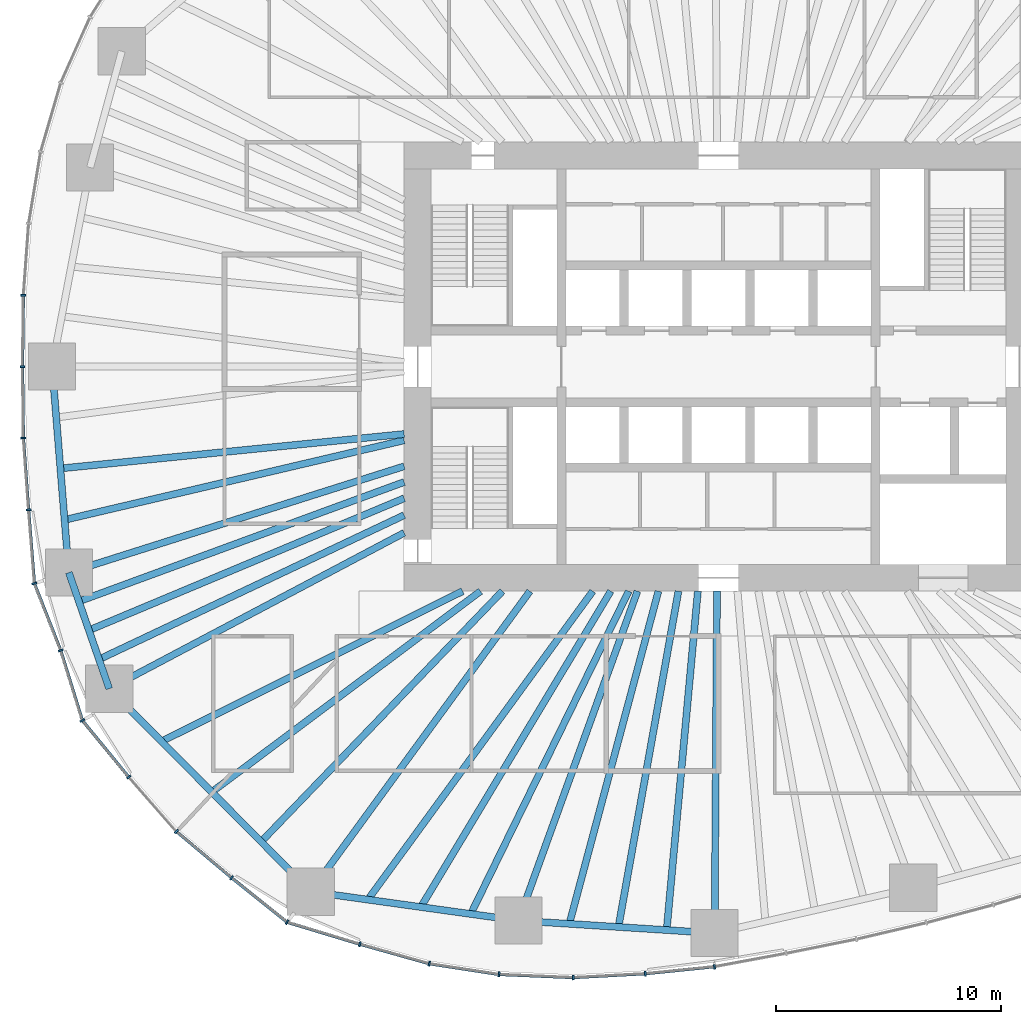
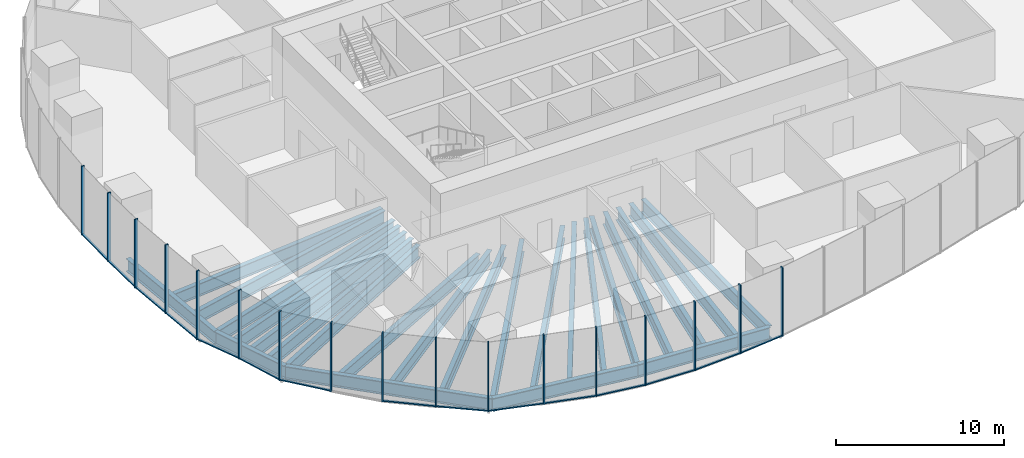
# One storey, part 2 of 20: 32 members, 24 beams, 7 elements without a shape of their own.
"""IFC4 building model written with IfcOpenShell, lengths in metres."""

from ifc_helpers import new_model, si_unit, direction, frame, origin, origin_2d, place, context, subcontext, project, spatial, rectangle, i_section, extrude, material, material_profile, profile_set, type_object, element, aggregate, save


model = new_model("IFC4")

# Units and contexts
model_context = context("Model", 3, precision=1e-05, world=origin(), true_north=direction((0.0, 1.0)))
body_context = subcontext(model_context, "Body", "Model", "MODEL_VIEW")
ifc_project = project(units=[si_unit("LENGTHUNIT", "METRE"), si_unit("AREAUNIT", "SQUARE_METRE"), si_unit("VOLUMEUNIT", "CUBIC_METRE"), si_unit("PLANEANGLEUNIT", "RADIAN"), si_unit("MASSUNIT", "GRAM", prefix="KILO")], contexts=[model_context])

# Site, building, storey
site_placement = place(None, origin())
site = spatial("IfcSite", under=ifc_project, at=site_placement, CompositionType="ELEMENT")
building_placement = place(site_placement, origin())
building = spatial("IfcBuilding", under=site, at=building_placement, Name="Ghaith Harvest Tower", CompositionType="ELEMENT")
storey_placement = place(building_placement, frame((0.0, 0.0, 35.0)))
storey = spatial("IfcBuildingStorey", under=building, at=storey_placement, Name="L07", CompositionType="ELEMENT", Elevation=35.0)

# Curtain wall, member
ifc_material_1 = material(Name="Black anodised aluminium and fritted glass", Category="aluminium")
curtain_wall_type = type_object("IfcCurtainWallType", Name="CW-F CURTAIN WALL", PredefinedType="NOTDEFINED", material=ifc_material_1)
curtain_wall_1_placement = place(storey_placement, origin())
curtain_wall_1 = element("IfcCurtainWall", 1, at=curtain_wall_1_placement, inside=storey, type_object=curtain_wall_type, Name="Curtain wall CW-F bay 10 L07", PredefinedType="NOTDEFINED")
ifc_material_2 = material(Name="Aluminium, black anodised", Category="aluminium")
ifc_material_profile_1 = material_profile(ifc_material_2, rectangle(XDim=0.080078125, YDim=0.219970703125, at=origin_2d()), Name="CW-F MULLION 80x220")
ifc_profile_set_1 = profile_set([ifc_material_profile_1], Name="Aluminium, black anodised")
member_type_1 = type_object("IfcMemberType", Name="CW-F MULLION 80x220", PredefinedType="MULLION", material=ifc_profile_set_1)
member_1_placement = place(storey_placement, frame((-30.95654296875, 3.177978515625, 0.0), z_axis=(0.0, 0.0, 1.0), x_axis=(-0.042427007767, -0.999099569118, 0.0)))
member_1 = element("IfcMember", 2, at=member_1_placement, type_object=member_type_1, Name="CW-F mullion 3 bay 10 L07", PredefinedType="MULLION", context=body_context, shape_type="SweptSolid", body=[
    extrude(rectangle(XDim=0.080078125, YDim=0.219970703125, at=origin_2d()), origin(), (0.0, 0.0, 1.0), 5.0),
])

# Curtain wall, members
curtain_wall_2_placement = place(storey_placement, origin())
curtain_wall_2 = element("IfcCurtainWall", 3, at=curtain_wall_2_placement, inside=storey, type_object=curtain_wall_type, Name="Curtain wall CW-F bay 11 L07", PredefinedType="NOTDEFINED")
member_2_placement = place(storey_placement, frame((-30.9951171875, 0.0, 0.0), z_axis=(0.0, 0.0, 1.0), x_axis=(1.4e-10, -1.0, 0.0)))
member_2 = element("IfcMember", 4, at=member_2_placement, type_object=member_type_1, Name="CW-F mullion 1 bay 11 L07", PredefinedType="MULLION", context=body_context, shape_type="SweptSolid", body=[
    extrude(rectangle(XDim=0.080078125, YDim=0.219970703125, at=origin_2d()), origin(), (0.0, 0.0, 1.0), 5.0),
])
member_3_placement = place(storey_placement, frame((-30.95654296875, -3.177978515625, 0.0), z_axis=(0.0, 0.0, 1.0), x_axis=(0.042427007872, -0.999099569114, 0.0)))
member_3 = element("IfcMember", 5, at=member_3_placement, type_object=member_type_1, Name="CW-F mullion 2 bay 11 L07", PredefinedType="MULLION", context=body_context, shape_type="SweptSolid", body=[
    extrude(rectangle(XDim=0.080078125, YDim=0.219970703125, at=origin_2d()), origin(), (0.0, 0.0, 1.0), 5.0),
])
member_4_placement = place(storey_placement, frame((-30.724365234375, -6.37548828125, 0.0), z_axis=(0.0, 0.0, 1.0), x_axis=(0.07568573288, -0.997131721408, 0.0)))
member_4 = element("IfcMember", 6, at=member_4_placement, type_object=member_type_1, Name="CW-F mullion 3 bay 11 L07", PredefinedType="MULLION", context=body_context, shape_type="SweptSolid", body=[
    extrude(rectangle(XDim=0.080078125, YDim=0.219970703125, at=origin_2d()), origin(), (0.0, 0.0, 1.0), 5.0),
])

curtain_wall_3_placement = place(storey_placement, origin())
curtain_wall_3 = element("IfcCurtainWall", 7, at=curtain_wall_3_placement, inside=storey, type_object=curtain_wall_type, Name="Curtain wall CW-F bay 12 L07", PredefinedType="NOTDEFINED")
member_5_placement = place(storey_placement, frame((-30.46484375, -9.65478515625, 0.0), z_axis=(0.0, 0.0, 1.0), x_axis=(0.222967363441, -0.974825910017, 0.0)))
member_5 = element("IfcMember", 8, at=member_5_placement, type_object=member_type_1, Name="CW-F mullion 1 bay 12 L07", PredefinedType="MULLION", context=body_context, shape_type="SweptSolid", body=[
    extrude(rectangle(XDim=0.080078125, YDim=0.219970703125, at=origin_2d()), origin(), (0.0, 0.0, 1.0), 5.0),
])
member_6_placement = place(storey_placement, frame((-29.29248046875, -12.63525390625, 0.0), z_axis=(0.0, 0.0, 1.0), x_axis=(0.330700518925, -0.943735750506, 0.0)))
member_6 = element("IfcMember", 9, at=member_6_placement, type_object=member_type_1, Name="CW-F mullion 2 bay 12 L07", PredefinedType="MULLION", context=body_context, shape_type="SweptSolid", body=[
    extrude(rectangle(XDim=0.080078125, YDim=0.219970703125, at=origin_2d()), origin(), (0.0, 0.0, 1.0), 5.0),
])
member_7_placement = place(storey_placement, frame((-28.3271484375, -15.7548828125, 0.0), z_axis=(0.0, 0.0, 1.0), x_axis=(0.473265082527, -0.880920065421, 0.0)))
member_7 = element("IfcMember", 10, at=member_7_placement, type_object=member_type_1, Name="CW-F mullion 3 bay 12 L07", PredefinedType="MULLION", context=body_context, shape_type="SweptSolid", body=[
    extrude(rectangle(XDim=0.080078125, YDim=0.219970703125, at=origin_2d()), origin(), (0.0, 0.0, 1.0), 5.0),
])

curtain_wall_4_placement = place(storey_placement, origin())
curtain_wall_4 = element("IfcCurtainWall", 11, at=curtain_wall_4_placement, inside=storey, type_object=curtain_wall_type, Name="Curtain wall CW-F bay 13 L07", PredefinedType="NOTDEFINED")
member_8_placement = place(storey_placement, frame((-26.26318359375, -18.274169921875, 0.0), z_axis=(0.0, 0.0, 1.0), x_axis=(0.646523538748, -0.762894038412, 0.0)))
member_8 = element("IfcMember", 12, at=member_8_placement, type_object=member_type_1, Name="CW-F mullion 1 bay 13 L07", PredefinedType="MULLION", context=body_context, shape_type="SweptSolid", body=[
    extrude(rectangle(XDim=0.080078125, YDim=0.219970703125, at=origin_2d()), origin(), (0.0, 0.0, 1.0), 5.0),
])
member_9_placement = place(storey_placement, frame((-24.139404296875, -20.696533203125, 0.0), z_axis=(0.0, 0.0, 1.0), x_axis=(0.714663248554, -0.699468684907, 0.0)))
member_9 = element("IfcMember", 13, at=member_9_placement, type_object=member_type_1, Name="CW-F mullion 2 bay 13 L07", PredefinedType="MULLION", context=body_context, shape_type="SweptSolid", body=[
    extrude(rectangle(XDim=0.080078125, YDim=0.219970703125, at=origin_2d()), origin(), (0.0, 0.0, 1.0), 5.0),
])
member_10_placement = place(storey_placement, frame((-21.681640625, -22.758056640625, 0.0), z_axis=(0.0, 0.0, 1.0), x_axis=(0.773138721505, -0.634236956751, 0.0)))
member_10 = element("IfcMember", 14, at=member_10_placement, type_object=member_type_1, Name="CW-F mullion 3 bay 13 L07", PredefinedType="MULLION", context=body_context, shape_type="SweptSolid", body=[
    extrude(rectangle(XDim=0.080078125, YDim=0.219970703125, at=origin_2d()), origin(), (0.0, 0.0, 1.0), 5.0),
])

curtain_wall_5_placement = place(storey_placement, origin())
curtain_wall_5 = element("IfcCurtainWall", 15, at=curtain_wall_5_placement, inside=storey, type_object=curtain_wall_type, Name="Curtain wall CW-F bay 14 L07", PredefinedType="NOTDEFINED")
member_11_placement = place(storey_placement, frame((-19.212646484375, -24.73828125, 0.0), z_axis=(0.0, 0.0, 1.0), x_axis=(0.887912253774, -0.460012858079, 0.0)))
member_11 = element("IfcMember", 16, at=member_11_placement, type_object=member_type_1, Name="CW-F mullion 1 bay 14 L07", PredefinedType="MULLION", context=body_context, shape_type="SweptSolid", body=[
    extrude(rectangle(XDim=0.080078125, YDim=0.219970703125, at=origin_2d()), origin(), (0.0, 0.0, 1.0), 5.0),
])
member_12_placement = place(storey_placement, frame((-15.97119140625, -25.716552734375, 0.0), z_axis=(0.0, 0.0, 1.0), x_axis=(0.960008876539, -0.279969564356, 0.0)))
member_12 = element("IfcMember", 17, at=member_12_placement, type_object=member_type_1, Name="CW-F mullion 2 bay 14 L07", PredefinedType="MULLION", context=body_context, shape_type="SweptSolid", body=[
    extrude(rectangle(XDim=0.080078125, YDim=0.219970703125, at=origin_2d()), origin(), (0.0, 0.0, 1.0), 5.0),
])
member_13_placement = place(storey_placement, frame((-12.880615234375, -26.5849609375, 0.0), z_axis=(0.0, 0.0, 1.0), x_axis=(0.977207016024, -0.212288595628, 0.0)))
member_13 = element("IfcMember", 18, at=member_13_placement, type_object=member_type_1, Name="CW-F mullion 3 bay 14 L07", PredefinedType="MULLION", context=body_context, shape_type="SweptSolid", body=[
    extrude(rectangle(XDim=0.080078125, YDim=0.219970703125, at=origin_2d()), origin(), (0.0, 0.0, 1.0), 5.0),
])

curtain_wall_6_placement = place(storey_placement, origin())
curtain_wall_6 = element("IfcCurtainWall", 19, at=curtain_wall_6_placement, inside=storey, type_object=curtain_wall_type, Name="Curtain wall CW-F bay 15 L07", PredefinedType="NOTDEFINED")
member_14_placement = place(storey_placement, frame((-9.7744140625, -27.062744140625, 0.0), z_axis=(0.0, 0.0, 1.0), x_axis=(0.995408459417, -0.095718331168, 0.0)))
member_14 = element("IfcMember", 20, at=member_14_placement, type_object=member_type_1, Name="CW-F mullion 1 bay 15 L07", PredefinedType="MULLION", context=body_context, shape_type="SweptSolid", body=[
    extrude(rectangle(XDim=0.080078125, YDim=0.219970703125, at=origin_2d()), origin(), (0.0, 0.0, 1.0), 5.0),
])
member_15_placement = place(storey_placement, frame((-6.465087890625, -27.20166015625, 0.0), z_axis=(0.0, 0.0, 1.0), x_axis=(0.999987206373, 0.005058368251, 0.0)))
member_15 = element("IfcMember", 21, at=member_15_placement, type_object=member_type_1, Name="CW-F mullion 2 bay 15 L07", PredefinedType="MULLION", context=body_context, shape_type="SweptSolid", body=[
    extrude(rectangle(XDim=0.080078125, YDim=0.219970703125, at=origin_2d()), origin(), (0.0, 0.0, 1.0), 5.0),
])
member_16_placement = place(storey_placement, frame((-3.261962890625, -27.02978515625, 0.0), z_axis=(0.0, 0.0, 1.0), x_axis=(0.997037536276, 0.07691652135, 0.0)))
member_16 = element("IfcMember", 22, at=member_16_placement, type_object=member_type_1, Name="CW-F mullion 3 bay 15 L07", PredefinedType="MULLION", context=body_context, shape_type="SweptSolid", body=[
    extrude(rectangle(XDim=0.080078125, YDim=0.219970703125, at=origin_2d()), origin(), (0.0, 0.0, 1.0), 5.0),
])

# Curtain wall, member
curtain_wall_7_placement = place(storey_placement, origin())
curtain_wall_7 = element("IfcCurtainWall", 23, at=curtain_wall_7_placement, inside=storey, type_object=curtain_wall_type, Name="Curtain wall CW-F bay 16 L07", PredefinedType="NOTDEFINED")
member_17_placement = place(storey_placement, frame((-0.182861328125, -26.717041015625, 0.0), z_axis=(0.0, 0.0, 1.0), x_axis=(0.98971187144, 0.143074845907, 0.0)))
member_17 = element("IfcMember", 24, at=member_17_placement, type_object=member_type_1, Name="CW-F mullion 1 bay 16 L07", PredefinedType="MULLION", context=body_context, shape_type="SweptSolid", body=[
    extrude(rectangle(XDim=0.080078125, YDim=0.219970703125, at=origin_2d()), origin(), (0.0, 0.0, 1.0), 5.0),
])
aggregate(curtain_wall_7, [member_17])

# Member
ifc_material_3 = material(Name="Aluminium, black anodised", Category="aluminium")
ifc_material_profile_2 = material_profile(ifc_material_3, rectangle(XDim=0.139892578125, YDim=0.080078125, at=origin_2d()), Name="CW-F TRANSOM 140x80")
ifc_profile_set_2 = profile_set([ifc_material_profile_2], Name="Aluminium, black anodised")
member_type_2 = type_object("IfcMemberType", Name="CW-F TRANSOM 140x80", PredefinedType="USERDEFINED", material=ifc_profile_set_2)
member_18_placement = place(storey_placement, frame((-30.95703125, 3.137939453125, 0.0400390625), z_axis=(-0.012135602457, -0.999926360865, 0.0), x_axis=(0.999926360865, -0.012135602457, 0.0)))
member_18 = element("IfcMember", 25, at=member_18_placement, type_object=member_type_2, Name="CW-F transom 3 bay 10 L07", ObjectType="TRANSOM", PredefinedType="USERDEFINED", context=body_context, shape_type="SweptSolid", body=[
    extrude(rectangle(XDim=0.139892578125, YDim=0.080078125, at=origin_2d()), origin(), (0.0, 0.0, 1.0), 3.09814453125),
])

aggregate(curtain_wall_1, [member_1, member_18])

member_19_placement = place(storey_placement, frame((-30.99462890625, -0.0400390625, 0.0400390625), z_axis=(0.012135602457, -0.999926360865, 0.0), x_axis=(0.999926360865, 0.012135602457, 0.0)))
member_19 = element("IfcMember", 26, at=member_19_placement, type_object=member_type_2, Name="CW-F transom 1 bay 11 L07", ObjectType="TRANSOM", PredefinedType="USERDEFINED", context=body_context, shape_type="SweptSolid", body=[
    extrude(rectangle(XDim=0.139892578125, YDim=0.080078125, at=origin_2d()), origin(), (0.0, 0.0, 1.0), 3.09814453125),
])

member_20_placement = place(storey_placement, frame((-30.95361328125, -3.2177734375, 0.0400390625), z_axis=(0.072473547161, -0.997370334912, 0.0), x_axis=(0.997370334912, 0.072473547161, 0.0)))
member_20 = element("IfcMember", 27, at=member_20_placement, type_object=member_type_2, Name="CW-F transom 2 bay 11 L07", ObjectType="TRANSOM", PredefinedType="USERDEFINED", context=body_context, shape_type="SweptSolid", body=[
    extrude(rectangle(XDim=0.139892578125, YDim=0.080078125, at=origin_2d()), origin(), (0.0, 0.0, 1.0), 3.126220703125),
])

member_21_placement = place(storey_placement, frame((-30.72119140625, -6.415283203125, 0.0400390625), z_axis=(0.078877539502, -0.996884313129, 0.0), x_axis=(0.996884313129, 0.078877539502, 0.0)))
member_21 = element("IfcMember", 28, at=member_21_placement, type_object=member_type_2, Name="CW-F transom 3 bay 11 L07", ObjectType="TRANSOM", PredefinedType="USERDEFINED", context=body_context, shape_type="SweptSolid", body=[
    extrude(rectangle(XDim=0.139892578125, YDim=0.080078125, at=origin_2d()), origin(), (0.0, 0.0, 1.0), 3.209716796875),
])

aggregate(curtain_wall_2, [member_2, member_19, member_3, member_20, member_4, member_21])

member_22_placement = place(storey_placement, frame((-30.4501953125, -9.692138671875, 0.0400390625), z_axis=(0.366046617161, -0.93059651518, 0.0), x_axis=(0.93059651518, 0.366046617161, 0.0)))
member_22 = element("IfcMember", 29, at=member_22_placement, type_object=member_type_2, Name="CW-F transom 1 bay 12 L07", ObjectType="TRANSOM", PredefinedType="USERDEFINED", context=body_context, shape_type="SweptSolid", body=[
    extrude(rectangle(XDim=0.139892578125, YDim=0.080078125, at=origin_2d()), origin(), (0.0, 0.0, 1.0), 3.122802734375),
])

member_23_placement = place(storey_placement, frame((-29.28076171875, -12.673583984375, 0.0400390625), z_axis=(0.295598800908, -0.955312173534, 0.0), x_axis=(0.955312173534, 0.295598800908, 0.0)))
member_23 = element("IfcMember", 30, at=member_23_placement, type_object=member_type_2, Name="CW-F transom 2 bay 12 L07", ObjectType="TRANSOM", PredefinedType="USERDEFINED", context=body_context, shape_type="SweptSolid", body=[
    extrude(rectangle(XDim=0.139892578125, YDim=0.080078125, at=origin_2d()), origin(), (0.0, 0.0, 1.0), 3.185546875),
])

member_24_placement = place(storey_placement, frame((-28.302001953125, -15.785888671875, 0.0400390625), z_axis=(0.633790042943, -0.773505126982, 0.0), x_axis=(0.773505126982, 0.633790042943, 0.0)))
member_24 = element("IfcMember", 31, at=member_24_placement, type_object=member_type_2, Name="CW-F transom 3 bay 12 L07", ObjectType="TRANSOM", PredefinedType="USERDEFINED", context=body_context, shape_type="SweptSolid", body=[
    extrude(rectangle(XDim=0.139892578125, YDim=0.080078125, at=origin_2d()), origin(), (0.0, 0.0, 1.0), 3.1767578125),
])

aggregate(curtain_wall_3, [member_5, member_22, member_6, member_23, member_7, member_24])

member_25_placement = place(storey_placement, frame((-24.10888671875, -20.72216796875, 0.0400390625), z_axis=(0.766144434184, -0.642668426149, 0.0), x_axis=(0.642668426149, 0.766144434184, 0.0)))
member_25 = element("IfcMember", 32, at=member_25_placement, type_object=member_type_2, Name="CW-F transom 2 bay 13 L07", ObjectType="TRANSOM", PredefinedType="USERDEFINED", context=body_context, shape_type="SweptSolid", body=[
    extrude(rectangle(XDim=0.139892578125, YDim=0.080078125, at=origin_2d()), origin(), (0.0, 0.0, 1.0), 3.1279296875),
])

member_26_placement = place(storey_placement, frame((-21.650634765625, -22.783203125, 0.0400390625), z_axis=(0.780181223133, -0.625553562112, 0.0), x_axis=(0.625553562112, 0.780181223133, 0.0)))
member_26 = element("IfcMember", 33, at=member_26_placement, type_object=member_type_2, Name="CW-F transom 3 bay 13 L07", ObjectType="TRANSOM", PredefinedType="USERDEFINED", context=body_context, shape_type="SweptSolid", body=[
    extrude(rectangle(XDim=0.139892578125, YDim=0.080078125, at=origin_2d()), origin(), (0.0, 0.0, 1.0), 3.085205078125),
])

aggregate(curtain_wall_4, [member_8, member_9, member_25, member_10, member_26])

member_27_placement = place(storey_placement, frame((-19.17431640625, -24.749755859375, 0.0400390625), z_axis=(0.957335035376, -0.288980328121, 0.0), x_axis=(0.288980328121, 0.957335035376, 0.0)))
member_27 = element("IfcMember", 34, at=member_27_placement, type_object=member_type_2, Name="CW-F transom 1 bay 14 L07", ObjectType="TRANSOM", PredefinedType="USERDEFINED", context=body_context, shape_type="SweptSolid", body=[
    extrude(rectangle(XDim=0.139892578125, YDim=0.080078125, at=origin_2d()), origin(), (0.0, 0.0, 1.0), 3.305908203125),
])

member_28_placement = place(storey_placement, frame((-15.9326171875, -25.727294921875, 0.0400390625), z_axis=(0.962727128991, -0.270474536888, 0.0), x_axis=(0.270474536888, 0.962727128991, 0.0)))
member_28 = element("IfcMember", 35, at=member_28_placement, type_object=member_type_2, Name="CW-F transom 2 bay 14 L07", ObjectType="TRANSOM", PredefinedType="USERDEFINED", context=body_context, shape_type="SweptSolid", body=[
    extrude(rectangle(XDim=0.139892578125, YDim=0.080078125, at=origin_2d()), origin(), (0.0, 0.0, 1.0), 3.13037109375),
])

member_29_placement = place(storey_placement, frame((-12.841064453125, -26.591064453125, 0.0400390625), z_axis=(0.988378147633, -0.152015253451, 0.0), x_axis=(0.152015253451, 0.988378147633, 0.0)))
member_29 = element("IfcMember", 36, at=member_29_placement, type_object=member_type_2, Name="CW-F transom 3 bay 14 L07", ObjectType="TRANSOM", PredefinedType="USERDEFINED", context=body_context, shape_type="SweptSolid", body=[
    extrude(rectangle(XDim=0.139892578125, YDim=0.080078125, at=origin_2d()), origin(), (0.0, 0.0, 1.0), 3.062744140625),
])

aggregate(curtain_wall_5, [member_11, member_27, member_12, member_28, member_13, member_29])

member_30_placement = place(storey_placement, frame((-9.734375, -27.064453125, 0.0400390625), z_axis=(0.999117688764, -0.04199814281, 0.0), x_axis=(0.04199814281, 0.999117688764, 0.0)))
member_30 = element("IfcMember", 37, at=member_30_placement, type_object=member_type_2, Name="CW-F transom 1 bay 15 L07", ObjectType="TRANSOM", PredefinedType="USERDEFINED", context=body_context, shape_type="SweptSolid", body=[
    extrude(rectangle(XDim=0.139892578125, YDim=0.080078125, at=origin_2d()), origin(), (0.0, 0.0, 1.0), 3.232177734375),
])

member_31_placement = place(storey_placement, frame((-6.42529296875, -27.19970703125, 0.0400390625), z_axis=(0.99856142387, 0.053619798202, 0.0), x_axis=(-0.053619798202, 0.99856142387, 0.0)))
member_31 = element("IfcMember", 38, at=member_31_placement, type_object=member_type_2, Name="CW-F transom 2 bay 15 L07", ObjectType="TRANSOM", PredefinedType="USERDEFINED", context=body_context, shape_type="SweptSolid", body=[
    extrude(rectangle(XDim=0.139892578125, YDim=0.080078125, at=origin_2d()), origin(), (0.0, 0.0, 1.0), 3.1279296875),
])

member_32_placement = place(storey_placement, frame((-3.22216796875, -27.02587890625, 0.0400390625), z_axis=(0.994880435036, 0.101058992587, 0.0), x_axis=(-0.101058992587, 0.994880435036, 0.0)))
member_32 = element("IfcMember", 39, at=member_32_placement, type_object=member_type_2, Name="CW-F transom 3 bay 15 L07", ObjectType="TRANSOM", PredefinedType="USERDEFINED", context=body_context, shape_type="SweptSolid", body=[
    extrude(rectangle(XDim=0.139892578125, YDim=0.080078125, at=origin_2d()), origin(), (0.0, 0.0, 1.0), 3.014892578125),
])

aggregate(curtain_wall_6, [member_14, member_30, member_15, member_31, member_16, member_32])

# Beams
ifc_material_4 = material(Name="Steel ASTM A992 Grade 50", Category="steel")
ifc_material_profile_3 = material_profile(ifc_material_4, i_section(OverallWidth=0.306884765625, OverallDepth=0.94189453125, WebThickness=0.022216796875, FlangeThickness=0.039794921875, at=origin_2d()), Name="W920X345")
ifc_profile_set_3 = profile_set([ifc_material_profile_3], Name="Steel ASTM A992 Grade 50")
beam_type_1 = type_object("IfcBeamType", Name="E920-345 W920X345", PredefinedType="SPANDREL", material=ifc_profile_set_3)
beam_1_placement = place(storey_placement, frame((-29.675048828125, 0.0, -0.6708984375), z_axis=(0.081006863421, -0.996713543642, 0.0), x_axis=(0.996713543642, 0.081006863421, 0.0)))
element("IfcBeam", 40, at=beam_1_placement, inside=storey, type_object=beam_type_1, Name="Edge beam E11 L07", PredefinedType="SPANDREL", context=body_context, shape_type="SweptSolid", body=[
    extrude(i_section(OverallWidth=0.306884765625, OverallDepth=0.94189453125, WebThickness=0.022216796875, FlangeThickness=0.039794921875, at=origin_2d()), origin(), (0.0, 0.0, 1.0), 9.1982421875),
])
beam_2_placement = place(storey_placement, frame((-28.929931640625, -9.16796875, -0.6708984375), z_axis=(0.328278550319, -0.944580961803, 0.0), x_axis=(0.944580961803, 0.328278550319, 0.0)))
element("IfcBeam", 41, at=beam_2_placement, inside=storey, type_object=beam_type_1, Name="Edge beam E12 L07", PredefinedType="SPANDREL", context=body_context, shape_type="SweptSolid", body=[
    extrude(i_section(OverallWidth=0.306884765625, OverallDepth=0.94189453125, WebThickness=0.022216796875, FlangeThickness=0.039794921875, at=origin_2d()), origin(), (0.0, 0.0, 1.0), 5.4765625),
])
beam_3_placement = place(storey_placement, frame((-27.132080078125, -14.341064453125, -0.6708984375), z_axis=(0.704562513714, -0.709641926798, 0.0), x_axis=(0.709641926798, 0.704562513714, 0.0)))
element("IfcBeam", 42, at=beam_3_placement, inside=storey, type_object=beam_type_1, Name="Edge beam E13 L07", PredefinedType="SPANDREL", context=body_context, shape_type="SweptSolid", body=[
    extrude(i_section(OverallWidth=0.306884765625, OverallDepth=0.94189453125, WebThickness=0.022216796875, FlangeThickness=0.039794921875, at=origin_2d()), origin(), (0.0, 0.0, 1.0), 12.737060546875),
])
beam_4_placement = place(storey_placement, frame((-18.157958984375, -23.3798828125, -0.6708984375), z_axis=(0.990441143901, -0.137936001352, 0.0), x_axis=(0.137936001352, 0.990441143901, 0.0)))
element("IfcBeam", 43, at=beam_4_placement, inside=storey, type_object=beam_type_1, Name="Edge beam E14 L07", PredefinedType="SPANDREL", context=body_context, shape_type="SweptSolid", body=[
    extrude(i_section(OverallWidth=0.306884765625, OverallDepth=0.94189453125, WebThickness=0.022216796875, FlangeThickness=0.039794921875, at=origin_2d()), origin(), (0.0, 0.0, 1.0), 9.33837890625),
])
beam_5_placement = place(storey_placement, frame((-8.908935546875, -24.66796875, -0.6708984375), z_axis=(0.99797963184, -0.063534671101, 0.0), x_axis=(0.063534671101, 0.99797963184, 0.0)))
element("IfcBeam", 44, at=beam_5_placement, inside=storey, type_object=beam_type_1, Name="Edge beam E15 L07", PredefinedType="SPANDREL", context=body_context, shape_type="SweptSolid", body=[
    extrude(i_section(OverallWidth=0.306884765625, OverallDepth=0.94189453125, WebThickness=0.022216796875, FlangeThickness=0.039794921875, at=origin_2d()), origin(), (0.0, 0.0, 1.0), 8.75341796875),
])
ifc_material_5 = material(Name="Steel ASTM A992 Grade 50", Category="steel")
ifc_material_profile_4 = material_profile(ifc_material_5, i_section(OverallWidth=0.306884765625, OverallDepth=0.94189453125, WebThickness=0.022216796875, FlangeThickness=0.039794921875, at=origin_2d()), Name="W920X345")
ifc_profile_set_4 = profile_set([ifc_material_profile_4], Name="Steel ASTM A992 Grade 50")
beam_type_2 = type_object("IfcBeamType", Name="G920-345 W920X345", PredefinedType="BEAM", material=ifc_profile_set_4)
beam_6_placement = place(storey_placement, frame((-14.0, -4.43701171875, -0.6708984375), z_axis=(-0.953284407194, -0.302074227636, 0.0), x_axis=(0.302074227636, -0.953284407194, 0.0)))
element("IfcBeam", 45, at=beam_6_placement, inside=storey, type_object=beam_type_2, Name="Radial girder G12 L07", PredefinedType="BEAM", context=body_context, shape_type="SweptSolid", body=[
    extrude(i_section(OverallWidth=0.306884765625, OverallDepth=0.94189453125, WebThickness=0.022216796875, FlangeThickness=0.039794921875, at=origin_2d()), origin(), (0.0, 0.0, 1.0), 15.66162109375),
])
beam_7_placement = place(storey_placement, frame((-14.0, -7.39990234375, -0.6708984375), z_axis=(-0.884097171481, -0.467303104397, 0.0), x_axis=(0.467303104397, -0.884097171481, 0.0)))
element("IfcBeam", 46, at=beam_7_placement, inside=storey, type_object=beam_type_2, Name="Radial girder G13 L07", PredefinedType="BEAM", context=body_context, shape_type="SweptSolid", body=[
    extrude(i_section(OverallWidth=0.306884765625, OverallDepth=0.94189453125, WebThickness=0.022216796875, FlangeThickness=0.039794921875, at=origin_2d()), origin(), (0.0, 0.0, 1.0), 14.853759765625),
])
beam_8_placement = place(storey_placement, frame((-8.39990234375, -10.0, -0.6708984375), z_axis=(-0.589246749374, -0.807953134997, 0.0), x_axis=(0.807953134997, -0.589246749374, 0.0)))
element("IfcBeam", 47, at=beam_8_placement, inside=storey, type_object=beam_type_2, Name="Radial girder G14 L07", PredefinedType="BEAM", context=body_context, shape_type="SweptSolid", body=[
    extrude(i_section(OverallWidth=0.306884765625, OverallDepth=0.94189453125, WebThickness=0.022216796875, FlangeThickness=0.039794921875, at=origin_2d()), origin(), (0.0, 0.0, 1.0), 16.560302734375),
])
beam_9_placement = place(storey_placement, frame((-3.61181640625, -10.0, -0.6708984375), z_axis=(-0.339664467784, -0.940546675782, 0.0), x_axis=(0.940546675782, -0.339664467784, 0.0)))
element("IfcBeam", 48, at=beam_9_placement, inside=storey, type_object=beam_type_2, Name="Radial girder G15 L07", PredefinedType="BEAM", context=body_context, shape_type="SweptSolid", body=[
    extrude(i_section(OverallWidth=0.306884765625, OverallDepth=0.94189453125, WebThickness=0.022216796875, FlangeThickness=0.039794921875, at=origin_2d()), origin(), (0.0, 0.0, 1.0), 15.59521484375),
])
beam_10_placement = place(storey_placement, frame((-0.068359375, -10.0, -0.6708984375), z_axis=(-0.006879467722, -0.999976336182, 0.0), x_axis=(0.999976336182, -0.006879467722, 0.0)))
element("IfcBeam", 49, at=beam_10_placement, inside=storey, type_object=beam_type_2, Name="Radial girder G16 L07", PredefinedType="BEAM", context=body_context, shape_type="SweptSolid", body=[
    extrude(i_section(OverallWidth=0.306884765625, OverallDepth=0.94189453125, WebThickness=0.022216796875, FlangeThickness=0.039794921875, at=origin_2d()), origin(), (0.0, 0.0, 1.0), 15.224365234375),
])
ifc_material_6 = material(Name="Steel ASTM A992 Grade 50", Category="steel")
ifc_material_profile_5 = material_profile(ifc_material_6, i_section(OverallWidth=0.31005859375, OverallDepth=0.927001953125, WebThickness=0.019287109375, FlangeThickness=0.031982421875, at=origin_2d()), Name="W920X289")
ifc_profile_set_5 = profile_set([ifc_material_profile_5], Name="Steel ASTM A992 Grade 50")
beam_type_3 = type_object("IfcBeamType", Name="J920-289 W920X289", PredefinedType="JOIST", material=ifc_profile_set_5)
beam_11_placement = place(storey_placement, frame((-14.0, -3.0, -0.66357421875), z_axis=(-0.995023982133, -0.099635711366, 0.0), x_axis=(0.099635711366, -0.995023982133, 0.0)))
element("IfcBeam", 50, at=beam_11_placement, inside=storey, type_object=beam_type_3, Name="Joist J11.2 L07", PredefinedType="JOIST", context=body_context, shape_type="SweptSolid", body=[
    extrude(i_section(OverallWidth=0.31005859375, OverallDepth=0.927001953125, WebThickness=0.019287109375, FlangeThickness=0.031982421875, at=origin_2d()), origin(), (0.0, 0.0, 1.0), 15.38330078125),
])
beam_12_placement = place(storey_placement, frame((-14.0, -3.280517578125, -0.66357421875), z_axis=(-0.973622531394, -0.228164778969, 0.0), x_axis=(0.228164778969, -0.973622531394, 0.0)))
element("IfcBeam", 51, at=beam_12_placement, inside=storey, type_object=beam_type_3, Name="Joist J11.3 L07", PredefinedType="JOIST", context=body_context, shape_type="SweptSolid", body=[
    extrude(i_section(OverallWidth=0.31005859375, OverallDepth=0.927001953125, WebThickness=0.019287109375, FlangeThickness=0.031982421875, at=origin_2d()), origin(), (0.0, 0.0, 1.0), 15.5302734375),
])
beam_13_placement = place(storey_placement, frame((-14.0, -5.137939453125, -0.66357421875), z_axis=(-0.938772784742, -0.344536875569, 0.0), x_axis=(0.344536875569, -0.938772784742, 0.0)))
element("IfcBeam", 52, at=beam_13_placement, inside=storey, type_object=beam_type_3, Name="Joist J12.1 L07", PredefinedType="JOIST", context=body_context, shape_type="SweptSolid", body=[
    extrude(i_section(OverallWidth=0.31005859375, OverallDepth=0.927001953125, WebThickness=0.019287109375, FlangeThickness=0.031982421875, at=origin_2d()), origin(), (0.0, 0.0, 1.0), 15.427734375),
])
beam_14_placement = place(storey_placement, frame((-14.0, -5.862548828125, -0.66357421875), z_axis=(-0.922389547545, -0.386260951404, 0.0), x_axis=(0.386260951404, -0.922389547545, 0.0)))
element("IfcBeam", 53, at=beam_14_placement, inside=storey, type_object=beam_type_3, Name="Joist J12.2 L07", PredefinedType="JOIST", context=body_context, shape_type="SweptSolid", body=[
    extrude(i_section(OverallWidth=0.31005859375, OverallDepth=0.927001953125, WebThickness=0.019287109375, FlangeThickness=0.031982421875, at=origin_2d()), origin(), (0.0, 0.0, 1.0), 15.216796875),
])
beam_15_placement = place(storey_placement, frame((-14.0, -6.614990234375, -0.66357421875), z_axis=(-0.904152605228, -0.427209628239, 0.0), x_axis=(0.427209628239, -0.904152605228, 0.0)))
element("IfcBeam", 54, at=beam_15_placement, inside=storey, type_object=beam_type_3, Name="Joist J12.3 L07", PredefinedType="JOIST", context=body_context, shape_type="SweptSolid", body=[
    extrude(i_section(OverallWidth=0.31005859375, OverallDepth=0.927001953125, WebThickness=0.019287109375, FlangeThickness=0.031982421875, at=origin_2d()), origin(), (0.0, 0.0, 1.0), 15.0263671875),
])
beam_16_placement = place(storey_placement, frame((-11.39990234375, -10.0, -0.66357421875), z_axis=(-0.894746445211, -0.446574516495, 0.0), x_axis=(0.446574516495, -0.894746445211, 0.0)))
element("IfcBeam", 55, at=beam_16_placement, inside=storey, type_object=beam_type_3, Name="Joist J13.1 L07", PredefinedType="JOIST", context=body_context, shape_type="SweptSolid", body=[
    extrude(i_section(OverallWidth=0.31005859375, OverallDepth=0.927001953125, WebThickness=0.019287109375, FlangeThickness=0.031982421875, at=origin_2d()), origin(), (0.0, 0.0, 1.0), 14.977783203125),
])
beam_17_placement = place(storey_placement, frame((-10.60009765625, -10.0, -0.66357421875), z_axis=(-0.800995319048, -0.598670609653, 0.0), x_axis=(0.598670609653, -0.800995319048, 0.0)))
element("IfcBeam", 56, at=beam_17_placement, inside=storey, type_object=beam_type_3, Name="Joist J13.2 L07", PredefinedType="JOIST", context=body_context, shape_type="SweptSolid", body=[
    extrude(i_section(OverallWidth=0.31005859375, OverallDepth=0.927001953125, WebThickness=0.019287109375, FlangeThickness=0.031982421875, at=origin_2d()), origin(), (0.0, 0.0, 1.0), 14.936279296875),
])
beam_18_placement = place(storey_placement, frame((-1.785888671875, -10.0, -0.66357421875), z_axis=(-0.175792307544, -0.984427277461, 0.0), x_axis=(0.984427277461, -0.175792307544, 0.0)))
element("IfcBeam", 57, at=beam_18_placement, inside=storey, type_object=beam_type_3, Name="Joist J15.2 L07", PredefinedType="JOIST", context=body_context, shape_type="SweptSolid", body=[
    extrude(i_section(OverallWidth=0.31005859375, OverallDepth=0.927001953125, WebThickness=0.019287109375, FlangeThickness=0.031982421875, at=origin_2d()), origin(), (0.0, 0.0, 1.0), 15.18798828125),
])
beam_19_placement = place(storey_placement, frame((-0.92041015625, -10.0, -0.66357421875), z_axis=(-0.091651457116, -0.995791147987, 0.0), x_axis=(0.995791147987, -0.091651457116, 0.0)))
element("IfcBeam", 58, at=beam_19_placement, inside=storey, type_object=beam_type_3, Name="Joist J15.3 L07", PredefinedType="JOIST", context=body_context, shape_type="SweptSolid", body=[
    extrude(i_section(OverallWidth=0.31005859375, OverallDepth=0.927001953125, WebThickness=0.019287109375, FlangeThickness=0.031982421875, at=origin_2d()), origin(), (0.0, 0.0, 1.0), 15.151611328125),
])
ifc_material_7 = material(Name="Steel ASTM A992 Grade 50", Category="steel")
ifc_material_profile_6 = material_profile(ifc_material_7, i_section(OverallWidth=0.306884765625, OverallDepth=0.94189453125, WebThickness=0.022216796875, FlangeThickness=0.039794921875, at=origin_2d()), Name="W920X345")
ifc_profile_set_6 = profile_set([ifc_material_profile_6], Name="Steel ASTM A992 Grade 50")
beam_type_4 = type_object("IfcBeamType", Name="J920-345 W920X345", PredefinedType="JOIST", material=ifc_profile_set_6)
beam_20_placement = place(storey_placement, frame((-9.626708984375, -10.0, -0.6708984375), z_axis=(-0.69353836378, -0.720419695709, 0.0), x_axis=(0.720419695709, -0.69353836378, 0.0)))
element("IfcBeam", 59, at=beam_20_placement, inside=storey, type_object=beam_type_4, Name="Joist J13.3 L07", PredefinedType="JOIST", context=body_context, shape_type="SweptSolid", body=[
    extrude(i_section(OverallWidth=0.306884765625, OverallDepth=0.94189453125, WebThickness=0.022216796875, FlangeThickness=0.039794921875, at=origin_2d()), origin(), (0.0, 0.0, 1.0), 15.485107421875),
])
beam_21_placement = place(storey_placement, frame((-5.60009765625, -10.0, -0.6708984375), z_axis=(-0.589160240072, -0.808016219836, 0.0), x_axis=(0.808016219836, -0.589160240072, 0.0)))
element("IfcBeam", 60, at=beam_21_placement, inside=storey, type_object=beam_type_4, Name="Joist J14.1 L07", PredefinedType="JOIST", context=body_context, shape_type="SweptSolid", body=[
    extrude(i_section(OverallWidth=0.306884765625, OverallDepth=0.94189453125, WebThickness=0.022216796875, FlangeThickness=0.039794921875, at=origin_2d()), origin(), (0.0, 0.0, 1.0), 16.997314453125),
])
beam_22_placement = place(storey_placement, frame((-4.800048828125, -10.0, -0.6708984375), z_axis=(-0.515226384897, -0.85705412449, 0.0), x_axis=(0.85705412449, -0.515226384897, 0.0)))
element("IfcBeam", 61, at=beam_22_placement, inside=storey, type_object=beam_type_4, Name="Joist J14.2 L07", PredefinedType="JOIST", context=body_context, shape_type="SweptSolid", body=[
    extrude(i_section(OverallWidth=0.306884765625, OverallDepth=0.94189453125, WebThickness=0.022216796875, FlangeThickness=0.039794921875, at=origin_2d()), origin(), (0.0, 0.0, 1.0), 16.408447265625),
])
beam_23_placement = place(storey_placement, frame((-4.0, -10.0, -0.6708984375), z_axis=(-0.439463806704, -0.898260297797, 0.0), x_axis=(0.898260297797, -0.439463806704, 0.0)))
element("IfcBeam", 62, at=beam_23_placement, inside=storey, type_object=beam_type_4, Name="Joist J14.3 L07", PredefinedType="JOIST", context=body_context, shape_type="SweptSolid", body=[
    extrude(i_section(OverallWidth=0.306884765625, OverallDepth=0.94189453125, WebThickness=0.022216796875, FlangeThickness=0.039794921875, at=origin_2d()), origin(), (0.0, 0.0, 1.0), 16.000244140625),
])
beam_24_placement = place(storey_placement, frame((-2.677978515625, -10.0, -0.6708984375), z_axis=(-0.258693109612, -0.965959561803, 0.0), x_axis=(0.965959561803, -0.258693109612, 0.0)))
element("IfcBeam", 63, at=beam_24_placement, inside=storey, type_object=beam_type_4, Name="Joist J15.1 L07", PredefinedType="JOIST", context=body_context, shape_type="SweptSolid", body=[
    extrude(i_section(OverallWidth=0.306884765625, OverallDepth=0.94189453125, WebThickness=0.022216796875, FlangeThickness=0.039794921875, at=origin_2d()), origin(), (0.0, 0.0, 1.0), 15.333984375),
])

save(model, "model.ifc")
